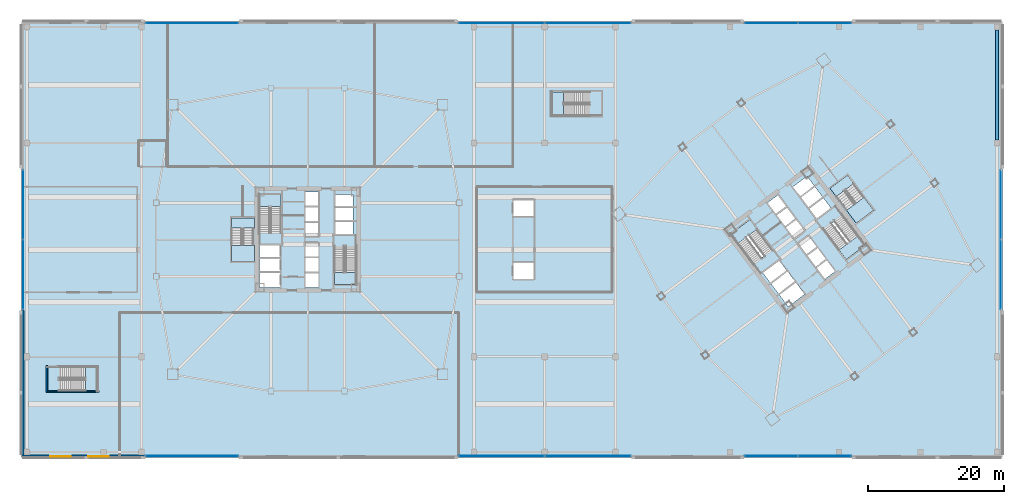
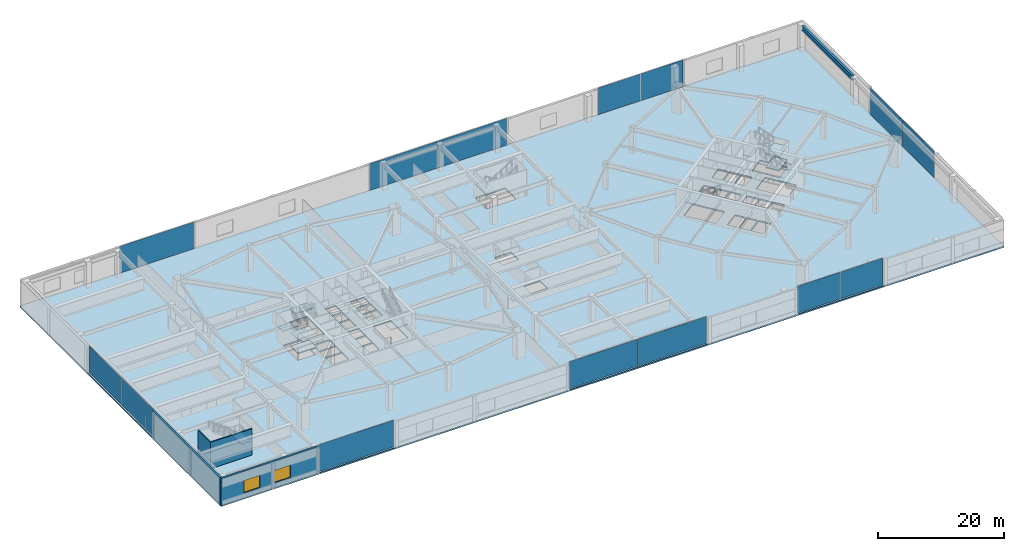
# One storey, part 33 of 48: 14 plates, 13 slabs, 4 walls, 2 windows, 1 beam, 2 openings, 16 elements without a shape of their own.
"""IFC4 building model written with IfcOpenShell, lengths in metres."""

from ifc_helpers import new_model, si_unit, direction, frame, frame_2d, origin, origin_2d, place, context, subcontext, project, spatial, polyline, rectangle, i_section, outline, extrude, material, layer, layer_set, material_profile, profile_set, type_object, element, fill, aggregate, save


model = new_model("IFC4")

# Units and contexts
model_context = context("Model", 3, precision=1e-05, world=origin(), true_north=direction((0.0, 1.0)))
body_context = subcontext(model_context, "Body", "Model", "MODEL_VIEW")
ifc_project = project(units=[si_unit("LENGTHUNIT", "METRE"), si_unit("AREAUNIT", "SQUARE_METRE"), si_unit("VOLUMEUNIT", "CUBIC_METRE"), si_unit("PLANEANGLEUNIT", "RADIAN"), si_unit("MASSUNIT", "GRAM", prefix="KILO")], contexts=[model_context])

# Site, building, storey
site_placement = place(None, origin())
site = spatial("IfcSite", under=ifc_project, at=site_placement, CompositionType="ELEMENT")
building_placement = place(site_placement, origin())
building = spatial("IfcBuilding", under=site, at=building_placement, Name="Tashvorn Skyway Center", CompositionType="ELEMENT")
storey_placement = place(building_placement, frame((0.0, 0.0, 10.199951171875)))
storey = spatial("IfcBuildingStorey", under=building, at=storey_placement, Name="L02", CompositionType="ELEMENT", Elevation=10.199951171875)

# Beam
ifc_material_1 = material(Name="Steel ASTM A913 Grade 65", Category="steel")
ifc_material_profile = material_profile(ifc_material_1, i_section(OverallWidth=0.4189453125, OverallDepth=0.927001953125, WebThickness=0.019287109375, FlangeThickness=0.031982421875, at=origin_2d()), Name="W36X231")
ifc_profile_set = profile_set([ifc_material_profile], Name="Steel ASTM A913 Grade 65")
beam_type = type_object("IfcBeamType", Name="BM-BEAM-W36X231", PredefinedType="BEAM", material=ifc_profile_set)
beam_placement = place(storey_placement, frame((143.199951171875, 46.64501953125, 4.676513671875), z_axis=(0.0, 1.0, 0.0), x_axis=(-1.0, 0.0, 0.0)))
element("IfcBeam", 1, at=beam_placement, inside=storey, type_object=beam_type, Name="L02 North-South Podium Girder 06-N", PredefinedType="BEAM", context=body_context, shape_type="SweptSolid", body=[
    extrude(i_section(OverallWidth=0.4189453125, OverallDepth=0.927001953125, WebThickness=0.019287109375, FlangeThickness=0.031982421875, at=origin_2d()), origin(), (0.0, 0.0, 1.0), 16.10986328125),
])

# Curtain wall, plates
ifc_material_2 = material(Name="Thermally broken bronze-anodized aluminium 6063-T6", Category="aluminium")
curtain_wall_type = type_object("IfcCurtainWallType", Name="CW-CW-Z1", PredefinedType="NOTDEFINED", material=ifc_material_2)
curtain_wall_1_placement = place(storey_placement, origin())
curtain_wall_1 = element("IfcCurtainWall", 2, at=curtain_wall_1_placement, inside=storey, type_object=curtain_wall_type, Name="L02 South Station Arcade Curtain Wall 1", PredefinedType="NOTDEFINED")
ifc_material_3 = material(Name="Low-E solar-control double insulating safety glass", Category="glass")
ifc_layer_1 = layer(ifc_material_3, 0.048095703125)
ifc_layer_set_1 = layer_set([ifc_layer_1], Name="Low-E solar-control double insulating safety glass")
plate_type = type_object("IfcPlateType", Name="CWP-CW-Z1", PredefinedType="CURTAIN_PANEL", material=ifc_layer_set_1)
plate_1_placement = place(storey_placement, frame((117.9287109375, 0.219970703125, 0.0849609375), z_axis=(0.0, 0.0, 1.0), x_axis=(-1.0, 0.0, 0.0)))
plate_1 = element("IfcPlate", 3, at=plate_1_placement, type_object=plate_type, Name="CW-Z1 panel 1.1", PredefinedType="CURTAIN_PANEL", context=body_context, shape_type="SweptSolid", body=[
    extrude(rectangle(XDim=7.7724609375, YDim=0.048095703125, at=origin_2d()), origin(), (0.0, 0.0, 1.0), 5.22998046875),
])
plate_2_placement = place(storey_placement, frame((110.0712890625, 0.219970703125, 0.0849609375), z_axis=(0.0, 0.0, 1.0), x_axis=(-1.0, 0.0, 0.0)))
plate_2 = element("IfcPlate", 4, at=plate_2_placement, type_object=plate_type, Name="CW-Z1 panel 2.1", PredefinedType="CURTAIN_PANEL", context=body_context, shape_type="SweptSolid", body=[
    extrude(rectangle(XDim=7.7724609375, YDim=0.048095703125, at=origin_2d()), origin(), (0.0, 0.0, 1.0), 5.22998046875),
])
aggregate(curtain_wall_1, [plate_1, plate_2])

curtain_wall_2_placement = place(storey_placement, origin())
curtain_wall_2 = element("IfcCurtainWall", 5, at=curtain_wall_2_placement, inside=storey, type_object=curtain_wall_type, Name="L02 South Station Arcade Curtain Wall 2", PredefinedType="NOTDEFINED")
plate_3_placement = place(storey_placement, frame((83.128662109375, 0.219970703125, 0.0849609375), z_axis=(0.0, 0.0, 1.0), x_axis=(-1.0, 0.0, 0.0)))
plate_3 = element("IfcPlate", 6, at=plate_3_placement, type_object=plate_type, Name="CW-Z1 panel 1.1", PredefinedType="CURTAIN_PANEL", context=body_context, shape_type="SweptSolid", body=[
    extrude(rectangle(XDim=12.572509765625, YDim=0.048095703125, at=origin_2d()), origin(), (0.0, 0.0, 1.0), 5.22998046875),
])
plate_4_placement = place(storey_placement, frame((70.47119140625, 0.219970703125, 0.0849609375), z_axis=(0.0, 0.0, 1.0), x_axis=(-1.0, 0.0, 0.0)))
plate_4 = element("IfcPlate", 7, at=plate_4_placement, type_object=plate_type, Name="CW-Z1 panel 2.1", PredefinedType="CURTAIN_PANEL", context=body_context, shape_type="SweptSolid", body=[
    extrude(rectangle(XDim=12.572509765625, YDim=0.048095703125, at=origin_2d()), origin(), (0.0, 0.0, 1.0), 5.22998046875),
])
aggregate(curtain_wall_2, [plate_3, plate_4])

# Curtain wall, plate
curtain_wall_3_placement = place(storey_placement, origin())
curtain_wall_3 = element("IfcCurtainWall", 8, at=curtain_wall_3_placement, inside=storey, type_object=curtain_wall_type, Name="L02 South Station Arcade Curtain Wall 3", PredefinedType="NOTDEFINED")
plate_5_placement = place(storey_placement, frame((25.0, 0.219970703125, 0.0849609375), z_axis=(0.0, 0.0, 1.0), x_axis=(-1.0, 0.0, 0.0)))
plate_5 = element("IfcPlate", 9, at=plate_5_placement, type_object=plate_type, Name="CW-Z1 panel 1.1", PredefinedType="CURTAIN_PANEL", context=body_context, shape_type="SweptSolid", body=[
    extrude(rectangle(XDim=13.6298828125, YDim=0.048095703125, at=origin_2d()), origin(), (0.0, 0.0, 1.0), 5.22998046875),
])
aggregate(curtain_wall_3, [plate_5])

curtain_wall_4_placement = place(storey_placement, origin())
curtain_wall_4 = element("IfcCurtainWall", 10, at=curtain_wall_4_placement, inside=storey, type_object=curtain_wall_type, Name="L02 North Station Arcade Curtain Wall 1", PredefinedType="NOTDEFINED")
plate_6_placement = place(storey_placement, frame((25.0, 63.780029296875, 0.0849609375), z_axis=(0.0, 0.0, 1.0), x_axis=(1.0, 0.0, 0.0)))
plate_6 = element("IfcPlate", 11, at=plate_6_placement, type_object=plate_type, Name="CW-Z1 panel 1.1", PredefinedType="CURTAIN_PANEL", context=body_context, shape_type="SweptSolid", body=[
    extrude(rectangle(XDim=13.6298828125, YDim=0.048095703125, at=origin_2d()), origin(), (0.0, 0.0, 1.0), 5.22998046875),
])
aggregate(curtain_wall_4, [plate_6])

# Curtain wall, plates
curtain_wall_5_placement = place(storey_placement, origin())
curtain_wall_5 = element("IfcCurtainWall", 12, at=curtain_wall_5_placement, inside=storey, type_object=curtain_wall_type, Name="L02 North Station Arcade Curtain Wall 2", PredefinedType="NOTDEFINED")
plate_7_placement = place(storey_placement, frame((70.47119140625, 63.780029296875, 0.0849609375), z_axis=(0.0, 0.0, 1.0), x_axis=(1.0, 0.0, 0.0)))
plate_7 = element("IfcPlate", 13, at=plate_7_placement, type_object=plate_type, Name="CW-Z1 panel 1.1", PredefinedType="CURTAIN_PANEL", context=body_context, shape_type="SweptSolid", body=[
    extrude(rectangle(XDim=12.572509765625, YDim=0.048095703125, at=origin_2d()), origin(), (0.0, 0.0, 1.0), 5.22998046875),
])
plate_8_placement = place(storey_placement, frame((83.128662109375, 63.780029296875, 0.0849609375), z_axis=(0.0, 0.0, 1.0), x_axis=(1.0, 0.0, 0.0)))
plate_8 = element("IfcPlate", 14, at=plate_8_placement, type_object=plate_type, Name="CW-Z1 panel 2.1", PredefinedType="CURTAIN_PANEL", context=body_context, shape_type="SweptSolid", body=[
    extrude(rectangle(XDim=12.572509765625, YDim=0.048095703125, at=origin_2d()), origin(), (0.0, 0.0, 1.0), 5.22998046875),
])
aggregate(curtain_wall_5, [plate_7, plate_8])

curtain_wall_6_placement = place(storey_placement, origin())
curtain_wall_6 = element("IfcCurtainWall", 15, at=curtain_wall_6_placement, inside=storey, type_object=curtain_wall_type, Name="L02 North Station Arcade Curtain Wall 3", PredefinedType="NOTDEFINED")
plate_9_placement = place(storey_placement, frame((110.0712890625, 63.780029296875, 0.0849609375), z_axis=(0.0, 0.0, 1.0), x_axis=(1.0, 0.0, 0.0)))
plate_9 = element("IfcPlate", 16, at=plate_9_placement, type_object=plate_type, Name="CW-Z1 panel 1.1", PredefinedType="CURTAIN_PANEL", context=body_context, shape_type="SweptSolid", body=[
    extrude(rectangle(XDim=7.7724609375, YDim=0.048095703125, at=origin_2d()), origin(), (0.0, 0.0, 1.0), 5.22998046875),
])
plate_10_placement = place(storey_placement, frame((117.9287109375, 63.780029296875, 0.0849609375), z_axis=(0.0, 0.0, 1.0), x_axis=(1.0, 0.0, 0.0)))
plate_10 = element("IfcPlate", 17, at=plate_10_placement, type_object=plate_type, Name="CW-Z1 panel 2.1", PredefinedType="CURTAIN_PANEL", context=body_context, shape_type="SweptSolid", body=[
    extrude(rectangle(XDim=7.7724609375, YDim=0.048095703125, at=origin_2d()), origin(), (0.0, 0.0, 1.0), 5.22998046875),
])
aggregate(curtain_wall_6, [plate_9, plate_10])

curtain_wall_7_placement = place(storey_placement, origin())
curtain_wall_7 = element("IfcCurtainWall", 18, at=curtain_wall_7_placement, inside=storey, type_object=curtain_wall_type, Name="L02 West Station Hall Portal Curtain Wall", PredefinedType="NOTDEFINED")
plate_11_placement = place(storey_placement, frame((0.219970703125, 26.871337890625, 0.0849609375), z_axis=(0.0, 0.0, 1.0), x_axis=(0.0, 1.0, 0.0)))
plate_11 = element("IfcPlate", 19, at=plate_11_placement, type_object=plate_type, Name="CW-Z1 panel 1.1", PredefinedType="CURTAIN_PANEL", context=body_context, shape_type="SweptSolid", body=[
    extrude(rectangle(XDim=10.172607421875, YDim=0.048095703125, at=origin_2d()), origin(), (0.0, 0.0, 1.0), 5.22998046875),
])
plate_12_placement = place(storey_placement, frame((0.219970703125, 37.128662109375, 0.0849609375), z_axis=(0.0, 0.0, 1.0), x_axis=(0.0, 1.0, 0.0)))
plate_12 = element("IfcPlate", 20, at=plate_12_placement, type_object=plate_type, Name="CW-Z1 panel 2.1", PredefinedType="CURTAIN_PANEL", context=body_context, shape_type="SweptSolid", body=[
    extrude(rectangle(XDim=10.172607421875, YDim=0.048095703125, at=origin_2d()), origin(), (0.0, 0.0, 1.0), 5.22998046875),
])
aggregate(curtain_wall_7, [plate_11, plate_12])

curtain_wall_8_placement = place(storey_placement, origin())
curtain_wall_8 = element("IfcCurtainWall", 21, at=curtain_wall_8_placement, inside=storey, type_object=curtain_wall_type, Name="L02 East Station Concourse Curtain Wall", PredefinedType="NOTDEFINED")
plate_13_placement = place(storey_placement, frame((143.780029296875, 37.128662109375, 0.0849609375), z_axis=(0.0, 0.0, 1.0), x_axis=(0.0, -1.0, 0.0)))
plate_13 = element("IfcPlate", 22, at=plate_13_placement, type_object=plate_type, Name="CW-Z1 panel 1.1", PredefinedType="CURTAIN_PANEL", context=body_context, shape_type="SweptSolid", body=[
    extrude(rectangle(XDim=10.172607421875, YDim=0.048095703125, at=origin_2d()), origin(), (0.0, 0.0, 1.0), 5.22998046875),
])
plate_14_placement = place(storey_placement, frame((143.780029296875, 26.871337890625, 0.0849609375), z_axis=(0.0, 0.0, 1.0), x_axis=(0.0, -1.0, 0.0)))
plate_14 = element("IfcPlate", 23, at=plate_14_placement, type_object=plate_type, Name="CW-Z1 panel 2.1", PredefinedType="CURTAIN_PANEL", context=body_context, shape_type="SweptSolid", body=[
    extrude(rectangle(XDim=10.172607421875, YDim=0.048095703125, at=origin_2d()), origin(), (0.0, 0.0, 1.0), 5.22998046875),
])
aggregate(curtain_wall_8, [plate_13, plate_14])

# Slab
ifc_material_4 = material(Name="Concrete C40/50", Category="concrete")
ifc_layer_2 = layer(ifc_material_4, 0.260009765625)
ifc_layer_set_2 = layer_set([ifc_layer_2], Name="Concrete C40/50")
slab_type_1 = type_object("IfcSlabType", Name="SLAB-FLR-260", PredefinedType="FLOOR", material=ifc_layer_set_2)
slab_1_placement = place(storey_placement, frame((0.0, 0.0, -0.260009765625)))
element("IfcSlab", 24, at=slab_1_placement, inside=storey, type_object=slab_type_1, Name="L02 Podium Composite Structural Floor Slab", PredefinedType="FLOOR", context=body_context, shape_type="SweptSolid", body=[
    extrude(outline(polyline([(0.0, 0.0), (144.0, 0.0), (144.0, 64.0), (0.0, 64.0), (0.0, 0.0)]), holes=[polyline([(38.10009765625, 33.080078125), (38.10009765625, 38.60009765625), (34.89990234375, 38.60009765625), (34.89990234375, 33.080078125), (38.10009765625, 33.080078125)]), polyline([(45.89990234375, 30.919921875), (45.89990234375, 25.39990234375), (49.10009765625, 25.39990234375), (49.10009765625, 30.919921875), (45.89990234375, 30.919921875)]), polyline([(110.23193359375, 30.52392578125), (106.919921875, 34.93994140625), (104.135986328125, 32.85205078125), (107.447998046875, 28.43603515625), (110.23193359375, 30.52392578125)]), polyline([(117.76806640625, 33.47607421875), (121.080078125, 29.06005859375), (123.864013671875, 31.14794921875), (120.552001953125, 35.56396484375), (117.76806640625, 33.47607421875)]), polyline([(30.800048828125, 33.52001953125), (30.800048828125, 28.800048828125), (34.0, 28.800048828125), (34.0, 33.52001953125), (30.800048828125, 33.52001953125)]), polyline([(119.7119140625, 38.18408203125), (122.5439453125, 34.407958984375), (125.10400390625, 36.327880859375), (122.27197265625, 40.10400390625), (119.7119140625, 38.18408203125)]), polyline([(5.610107421875, 9.800048828125), (11.10009765625, 9.800048828125), (11.10009765625, 13.300048828125), (5.610107421875, 13.300048828125), (5.610107421875, 9.800048828125)]), polyline([(83.2900390625, 53.699951171875), (77.800048828125, 53.699951171875), (77.800048828125, 50.199951171875), (83.2900390625, 50.199951171875), (83.2900390625, 53.699951171875)]), polyline([(34.949951171875, 29.35009765625), (37.949951171875, 29.35009765625), (37.949951171875, 31.199951171875), (34.949951171875, 31.199951171875), (34.949951171875, 29.35009765625)]), polyline([(34.949951171875, 27.35009765625), (37.949951171875, 27.35009765625), (37.949951171875, 29.199951171875), (34.949951171875, 29.199951171875), (34.949951171875, 27.35009765625)]), polyline([(34.949951171875, 25.0), (37.949951171875, 25.0), (37.949951171875, 27.14990234375), (34.949951171875, 27.14990234375), (34.949951171875, 25.0)]), polyline([(41.64990234375, 25.0), (43.550048828125, 25.0), (43.550048828125, 27.050048828125), (41.64990234375, 27.050048828125), (41.64990234375, 25.0)]), polyline([(41.64990234375, 27.25), (43.550048828125, 27.25), (43.550048828125, 29.300048828125), (41.64990234375, 29.300048828125), (41.64990234375, 27.25)]), polyline([(41.64990234375, 29.5), (43.550048828125, 29.5), (43.550048828125, 31.550048828125), (41.64990234375, 31.550048828125), (41.64990234375, 29.5)]), polyline([(41.64990234375, 32.449951171875), (43.550048828125, 32.449951171875), (43.550048828125, 34.5), (41.64990234375, 34.5), (41.64990234375, 32.449951171875)]), polyline([(41.64990234375, 34.699951171875), (43.550048828125, 34.699951171875), (43.550048828125, 36.75), (41.64990234375, 36.75), (41.64990234375, 34.699951171875)]), polyline([(41.64990234375, 36.949951171875), (43.550048828125, 36.949951171875), (43.550048828125, 39.0), (41.64990234375, 39.0), (41.64990234375, 36.949951171875)]), polyline([(46.050048828125, 32.800048828125), (48.64990234375, 32.800048828125), (48.64990234375, 34.64990234375), (46.050048828125, 34.64990234375), (46.050048828125, 32.800048828125)]), polyline([(46.050048828125, 34.85009765625), (48.64990234375, 34.85009765625), (48.64990234375, 36.699951171875), (46.050048828125, 36.699951171875), (46.050048828125, 34.85009765625)]), polyline([(46.050048828125, 36.89990234375), (48.64990234375, 36.89990234375), (48.64990234375, 38.64990234375), (46.050048828125, 38.64990234375), (46.050048828125, 36.89990234375)]), polyline([(109.949951171875, 25.64990234375), (112.35009765625, 27.449951171875), (111.239990234375, 28.929931640625), (108.840087890625, 27.1298828125), (109.949951171875, 25.64990234375)]), polyline([(111.14990234375, 24.050048828125), (113.550048828125, 25.85009765625), (112.43994140625, 27.330078125), (110.0400390625, 25.530029296875), (111.14990234375, 24.050048828125)]), polyline([(112.56005859375, 22.169921875), (114.9599609375, 23.969970703125), (113.669921875, 25.68994140625), (111.27001953125, 23.889892578125), (112.56005859375, 22.169921875)]), polyline([(117.919921875, 26.18994140625), (119.43994140625, 27.330078125), (118.2099609375, 28.969970703125), (116.68994140625, 27.830078125), (117.919921875, 26.18994140625)]), polyline([(116.570068359375, 27.989990234375), (118.090087890625, 29.1298828125), (116.860107421875, 30.77001953125), (115.340087890625, 29.6298828125), (116.570068359375, 27.989990234375)]), polyline([(115.219970703125, 29.7900390625), (116.739990234375, 30.929931640625), (115.510009765625, 32.570068359375), (113.989990234375, 31.429931640625), (115.219970703125, 29.7900390625)]), polyline([(113.449951171875, 32.14990234375), (114.969970703125, 33.2900390625), (113.739990234375, 34.929931640625), (112.219970703125, 33.7900390625), (113.449951171875, 32.14990234375)]), polyline([(112.10009765625, 33.949951171875), (113.6201171875, 35.090087890625), (112.389892578125, 36.72998046875), (110.8701171875, 35.590087890625), (112.10009765625, 33.949951171875)]), polyline([(110.75, 35.75), (112.27001953125, 36.889892578125), (111.0400390625, 38.530029296875), (109.52001953125, 37.389892578125), (110.75, 35.75)]), polyline([(116.760009765625, 35.070068359375), (118.840087890625, 36.6298828125), (117.72998046875, 38.110107421875), (115.64990234375, 36.550048828125), (116.760009765625, 35.070068359375)]), polyline([(115.530029296875, 36.7099609375), (117.610107421875, 38.27001953125), (116.5, 39.75), (114.419921875, 38.18994140625), (115.530029296875, 36.7099609375)]), polyline([(114.300048828125, 38.35009765625), (116.3798828125, 39.909912109375), (115.330078125, 41.31005859375), (113.25, 39.75), (114.300048828125, 38.35009765625)]), polyline([(72.199951171875, 26.199951171875), (75.199951171875, 26.199951171875), (75.199951171875, 28.60009765625), (72.199951171875, 28.60009765625), (72.199951171875, 26.199951171875)]), polyline([(72.199951171875, 35.39990234375), (75.199951171875, 35.39990234375), (75.199951171875, 37.800048828125), (72.199951171875, 37.800048828125), (72.199951171875, 35.39990234375)])]), origin(), (0.0, 0.0, 1.0), 0.260009765625),
])

# Stair, slab
stair_type_1 = type_object("IfcStairType", Name="STAIR-CORE-1500", PredefinedType="HALF_TURN_STAIR", material=ifc_material_4)
stair_1_placement = place(storey_placement, origin())
stair_1 = element("IfcStair", 25, at=stair_1_placement, inside=storey, type_object=stair_type_1, Name="L02 Tower 1 Exit Stair 1", PredefinedType="HALF_TURN_STAIR")
ifc_layer_3 = layer(ifc_material_4, 0.199951171875)
ifc_layer_set_3 = layer_set([ifc_layer_3], Name="Concrete C40/50")
slab_type_2 = type_object("IfcSlabType", Name="SLAB-LAND-200", PredefinedType="LANDING", material=ifc_layer_set_3)
slab_2_placement = place(storey_placement, frame((0.0, 0.0, 2.5)))
slab_2 = element("IfcSlab", 26, at=slab_2_placement, type_object=slab_type_2, Name="ST-T1-1 landing 1", PredefinedType="LANDING", context=body_context, shape_type="SweptSolid", body=[
    extrude(outline(polyline([(38.10009765625, 36.840087890625), (38.10009765625, 38.60009765625), (34.89990234375, 38.60009765625), (34.89990234375, 36.840087890625), (38.10009765625, 36.840087890625)])), origin(), (0.0, 0.0, 1.0), 0.199951171875),
])
aggregate(stair_1, [slab_2])

stair_2_placement = place(storey_placement, origin())
stair_2 = element("IfcStair", 27, at=stair_2_placement, inside=storey, type_object=stair_type_1, Name="L02 Tower 1 Exit Stair 2", PredefinedType="HALF_TURN_STAIR")
slab_3_placement = place(storey_placement, frame((0.0, 0.0, 2.5)))
slab_3 = element("IfcSlab", 28, at=slab_3_placement, type_object=slab_type_2, Name="ST-T1-2 landing 1", PredefinedType="LANDING", context=body_context, shape_type="SweptSolid", body=[
    extrude(outline(polyline([(45.89990234375, 27.159912109375), (45.89990234375, 25.39990234375), (49.10009765625, 25.39990234375), (49.10009765625, 27.159912109375), (45.89990234375, 27.159912109375)])), origin(), (0.0, 0.0, 1.0), 0.199951171875),
])
aggregate(stair_2, [slab_3])

stair_3_placement = place(storey_placement, origin())
stair_3 = element("IfcStair", 29, at=stair_3_placement, inside=storey, type_object=stair_type_1, Name="L02 Tower 2 Exit Stair 1", PredefinedType="HALF_TURN_STAIR")
slab_4_placement = place(storey_placement, frame((0.0, 0.0, 2.5)))
slab_4 = element("IfcSlab", 30, at=slab_4_placement, type_object=slab_type_2, Name="ST-T2-1 landing 1", PredefinedType="LANDING", context=body_context, shape_type="SweptSolid", body=[
    extrude(outline(polyline([(107.980712890625, 33.525634765625), (106.919921875, 34.93994140625), (104.135986328125, 32.85205078125), (105.19677734375, 31.4375), (107.980712890625, 33.525634765625)])), origin(), (0.0, 0.0, 1.0), 0.199951171875),
])
aggregate(stair_3, [slab_4])

stair_4_placement = place(storey_placement, origin())
stair_4 = element("IfcStair", 31, at=stair_4_placement, inside=storey, type_object=stair_type_1, Name="L02 Tower 2 Exit Stair 2", PredefinedType="HALF_TURN_STAIR")
slab_5_placement = place(storey_placement, frame((0.0, 0.0, 2.5)))
slab_5 = element("IfcSlab", 32, at=slab_5_placement, type_object=slab_type_2, Name="ST-T2-2 landing 1", PredefinedType="LANDING", context=body_context, shape_type="SweptSolid", body=[
    extrude(outline(polyline([(120.019287109375, 30.474365234375), (121.080078125, 29.06005859375), (123.864013671875, 31.14794921875), (122.80322265625, 32.5625), (120.019287109375, 30.474365234375)])), origin(), (0.0, 0.0, 1.0), 0.199951171875),
])
aggregate(stair_4, [slab_5])

# Stair, slabs
stair_5_placement = place(storey_placement, origin())
stair_5 = element("IfcStair", 33, at=stair_5_placement, inside=storey, type_object=stair_type_1, Name="L02 Tower 1 Exit Stair 3", PredefinedType="HALF_TURN_STAIR")
slab_6_placement = place(storey_placement, frame((0.0, 0.0, 1.150146484375)))
slab_6 = element("IfcSlab", 34, at=slab_6_placement, type_object=slab_type_2, Name="ST-T1-3 landing 1", PredefinedType="LANDING", context=body_context, shape_type="SweptSolid", body=[
    extrude(outline(polyline([(30.800048828125, 31.159912109375), (30.800048828125, 28.800048828125), (34.199951171875, 28.800048828125), (34.199951171875, 31.159912109375), (30.800048828125, 31.159912109375)])), origin(), (0.0, 0.0, 1.0), 0.199951171875),
])
slab_7_placement = place(storey_placement, frame((0.0, 0.0, 2.5)))
slab_7 = element("IfcSlab", 35, at=slab_7_placement, type_object=slab_type_2, Name="ST-T1-3 landing 2", PredefinedType="LANDING", context=body_context, shape_type="SweptSolid", body=[
    extrude(outline(polyline([(30.800048828125, 35.199951171875), (30.800048828125, 33.679931640625), (34.199951171875, 33.679931640625), (34.199951171875, 35.199951171875), (30.800048828125, 35.199951171875)])), origin(), (0.0, 0.0, 1.0), 0.199951171875),
])
slab_8_placement = place(storey_placement, frame((0.0, 0.0, 3.85009765625)))
slab_8 = element("IfcSlab", 36, at=slab_8_placement, type_object=slab_type_2, Name="ST-T1-3 landing 3", PredefinedType="LANDING", context=body_context, shape_type="SweptSolid", body=[
    extrude(outline(polyline([(30.800048828125, 31.159912109375), (30.800048828125, 28.800048828125), (34.199951171875, 28.800048828125), (34.199951171875, 31.159912109375), (30.800048828125, 31.159912109375)])), origin(), (0.0, 0.0, 1.0), 0.199951171875),
])
aggregate(stair_5, [slab_6, slab_7, slab_8])

stair_6_placement = place(storey_placement, origin())
stair_6 = element("IfcStair", 37, at=stair_6_placement, inside=storey, type_object=stair_type_1, Name="L02 Tower 2 Exit Stair 3", PredefinedType="HALF_TURN_STAIR")
slab_9_placement = place(storey_placement, frame((0.0, 0.0, 1.150146484375)))
slab_9 = element("IfcSlab", 38, at=slab_9_placement, type_object=slab_type_2, Name="ST-T2-3 landing 1", PredefinedType="LANDING", context=body_context, shape_type="SweptSolid", body=[
    extrude(outline(polyline([(121.123291015625, 36.302490234375), (122.5439453125, 34.407958984375), (125.10400390625, 36.327880859375), (123.68310546875, 38.222412109375), (121.123291015625, 36.302490234375)])), origin(), (0.0, 0.0, 1.0), 0.199951171875),
])
slab_10_placement = place(storey_placement, frame((0.0, 0.0, 2.5)))
slab_10 = element("IfcSlab", 39, at=slab_10_placement, type_object=slab_type_2, Name="ST-T2-3 landing 2", PredefinedType="LANDING", context=body_context, shape_type="SweptSolid", body=[
    extrude(outline(polyline([(118.69921875, 39.534423828125), (119.620849609375, 38.3056640625), (122.180908203125, 40.2255859375), (121.25927734375, 41.454345703125), (118.69921875, 39.534423828125)])), origin(), (0.0, 0.0, 1.0), 0.199951171875),
])
slab_11_placement = place(storey_placement, frame((0.0, 0.0, 3.85009765625)))
slab_11 = element("IfcSlab", 40, at=slab_11_placement, type_object=slab_type_2, Name="ST-T2-3 landing 3", PredefinedType="LANDING", context=body_context, shape_type="SweptSolid", body=[
    extrude(outline(polyline([(121.123291015625, 36.302490234375), (122.5439453125, 34.407958984375), (125.10400390625, 36.327880859375), (123.68310546875, 38.222412109375), (121.123291015625, 36.302490234375)])), origin(), (0.0, 0.0, 1.0), 0.199951171875),
])
aggregate(stair_6, [slab_9, slab_10, slab_11])

# Stair, slab
stair_type_2 = type_object("IfcStairType", Name="STAIR-POD-1650", PredefinedType="HALF_TURN_STAIR", material=ifc_material_4)
stair_7_placement = place(storey_placement, origin())
stair_7 = element("IfcStair", 41, at=stair_7_placement, inside=storey, type_object=stair_type_2, Name="L02 Podium West Exit Stair 1", PredefinedType="HALF_TURN_STAIR")
slab_12_placement = place(storey_placement, frame((0.0, 0.0, 2.5)))
slab_12 = element("IfcSlab", 42, at=slab_12_placement, type_object=slab_type_2, Name="ST-POD-1 landing 1", PredefinedType="LANDING", context=body_context, shape_type="SweptSolid", body=[
    extrude(outline(polyline([(9.3701171875, 9.800048828125), (11.10009765625, 9.800048828125), (11.10009765625, 13.300048828125), (9.3701171875, 13.300048828125), (9.3701171875, 9.800048828125)])), origin(), (0.0, 0.0, 1.0), 0.199951171875),
])
aggregate(stair_7, [slab_12])

stair_8_placement = place(storey_placement, origin())
stair_8 = element("IfcStair", 43, at=stair_8_placement, inside=storey, type_object=stair_type_2, Name="L02 Podium East Exit Stair 2", PredefinedType="HALF_TURN_STAIR")
slab_13_placement = place(storey_placement, frame((0.0, 0.0, 2.5)))
slab_13 = element("IfcSlab", 44, at=slab_13_placement, type_object=slab_type_2, Name="ST-POD-2 landing 1", PredefinedType="LANDING", context=body_context, shape_type="SweptSolid", body=[
    extrude(outline(polyline([(79.530029296875, 53.699951171875), (77.800048828125, 53.699951171875), (77.800048828125, 50.199951171875), (79.530029296875, 50.199951171875), (79.530029296875, 53.699951171875)])), origin(), (0.0, 0.0, 1.0), 0.199951171875),
])
aggregate(stair_8, [slab_13])

# Wall, openings, windows
ifc_material_5 = material(Name="Precast concrete C40/50", Category="concrete")
ifc_layer_4 = layer(ifc_material_5, 0.35009765625)
ifc_layer_set_4 = layer_set([ifc_layer_4], Name="Precast concrete C40/50")
wall_type_1 = type_object("IfcWallType", Name="WALL-EXT-350", PredefinedType="SOLIDWALL", material=ifc_layer_set_4)
wall_1_placement = place(storey_placement, frame((18.0, 0.175048828125, 0.0), z_axis=(0.0, 0.0, 1.0), x_axis=(-1.0, 0.0, 0.0)))
wall_1 = element("IfcWall", 45, at=wall_1_placement, inside=storey, type_object=wall_type_1, Name="L02 South Postmodern Pier Wall W1", PredefinedType="SOLIDWALL", context=body_context, shape_type="SweptSolid", body=[
    extrude(rectangle(XDim=18.0, YDim=0.35009765625, at=frame_2d((9.0, 0.0))), origin(), (0.0, 0.0, 1.0), 5.14013671875),
])
opening_1_placement = place(wall_1_placement, frame((10.800048828125, 0.0, 0.949951171875)))
opening_1 = element("IfcOpeningElement", 46, at=opening_1_placement, cuts=wall_1, Name="Opening WIN-3000", PredefinedType="OPENING", context=body_context, shape_type="SweptSolid", body=[
    extrude(rectangle(XDim=3.0, YDim=2.39990234375, at=frame_2d((1.5, 1.199951171875))), frame((0.0, 0.18505859375, 0.0), z_axis=(0.0, -1.0, 0.0), x_axis=(1.0, 0.0, 0.0)), (0.0, 0.0, 1.0), 0.3701171875),
])
opening_2_placement = place(wall_1_placement, frame((5.199951171875, 0.0, 0.949951171875)))
opening_2 = element("IfcOpeningElement", 47, at=opening_2_placement, cuts=wall_1, Name="Opening WIN-3000", PredefinedType="OPENING", context=body_context, shape_type="SweptSolid", body=[
    extrude(rectangle(XDim=3.0, YDim=2.39990234375, at=frame_2d((1.5, 1.199951171875))), frame((0.0, 0.18505859375, 0.0), z_axis=(0.0, -1.0, 0.0), x_axis=(1.0, 0.0, 0.0)), (0.0, 0.0, 1.0), 0.3701171875),
])
window_type = type_object("IfcWindowType", Name="WIN-POD-3000", PartitioningType="SINGLE_PANEL", PredefinedType="WINDOW", material=ifc_material_3)
window_1_placement = place(opening_1_placement, origin())
window_1 = element("IfcWindow", 48, at=window_1_placement, inside=storey, type_object=window_type, Name="L02 South Station Pier Window 01", OverallHeight=2.39990234375, OverallWidth=3.0, PartitioningType="SINGLE_PANEL", PredefinedType="WINDOW", context=body_context, shape_type="SweptSolid", body=[
    extrude(rectangle(XDim=3.0, YDim=2.39990234375, at=frame_2d((1.5, 1.199951171875))), frame((0.0, 0.030029296875, 0.0), z_axis=(0.0, -1.0, 0.0), x_axis=(1.0, 0.0, 0.0)), (0.0, 0.0, 1.0), 0.06005859375),
])
fill(opening_1, window_1)
window_2_placement = place(opening_2_placement, origin())
window_2 = element("IfcWindow", 49, at=window_2_placement, inside=storey, type_object=window_type, Name="L02 South Station Pier Window 02", OverallHeight=2.39990234375, OverallWidth=3.0, PartitioningType="SINGLE_PANEL", PredefinedType="WINDOW", context=body_context, shape_type="SweptSolid", body=[
    extrude(rectangle(XDim=3.0, YDim=2.39990234375, at=frame_2d((1.5, 1.199951171875))), frame((0.0, 0.030029296875, 0.0), z_axis=(0.0, -1.0, 0.0), x_axis=(1.0, 0.0, 0.0)), (0.0, 0.0, 1.0), 0.06005859375),
])
fill(opening_2, window_2)

# Walls
wall_2_placement = place(storey_placement, frame((0.175048828125, 0.35009765625, 0.0), z_axis=(0.0, 0.0, 1.0), x_axis=(0.0, 1.0, 0.0)))
element("IfcWall", 50, at=wall_2_placement, inside=storey, type_object=wall_type_1, Name="L02 West-South Postmodern Facade Wall", PredefinedType="SOLIDWALL", context=body_context, shape_type="SweptSolid", body=[
    extrude(rectangle(XDim=21.25, YDim=0.35009765625, at=frame_2d((10.625, 0.0))), origin(), (0.0, 0.0, 1.0), 5.14013671875),
])
ifc_layer_5 = layer(ifc_material_4, 0.199951171875)
ifc_layer_set_5 = layer_set([ifc_layer_5], Name="Concrete C40/50")
wall_type_2 = type_object("IfcWallType", Name="WALL-STSHF-200", PredefinedType="SHEAR", material=ifc_layer_set_5)
wall_3_placement = place(storey_placement, frame((3.60009765625, 9.699951171875, 0.0), z_axis=(0.0, 0.0, 1.0), x_axis=(1.0, 0.0, 0.0)))
element("IfcWall", 51, at=wall_3_placement, inside=storey, type_object=wall_type_2, Name="L02 Podium Stair 1 South Wall", PredefinedType="SHEAR", context=body_context, shape_type="SweptSolid", body=[
    extrude(rectangle(XDim=7.699951171875, YDim=0.199951171875, at=frame_2d((3.85009765625, 0.0))), origin(), (0.0, 0.0, 1.0), 5.14013671875),
])
wall_4_placement = place(storey_placement, frame((3.699951171875, 9.60009765625, 0.0), z_axis=(0.0, 0.0, 1.0), x_axis=(0.0, 1.0, 0.0)))
element("IfcWall", 52, at=wall_4_placement, inside=storey, type_object=wall_type_2, Name="L02 Podium Stair 1 West Wall", PredefinedType="SHEAR", context=body_context, shape_type="SweptSolid", body=[
    extrude(rectangle(XDim=3.89990234375, YDim=0.199951171875, at=frame_2d((1.949951171875, 0.0))), origin(), (0.0, 0.0, 1.0), 5.14013671875),
])

save(model, "model.ifc")
